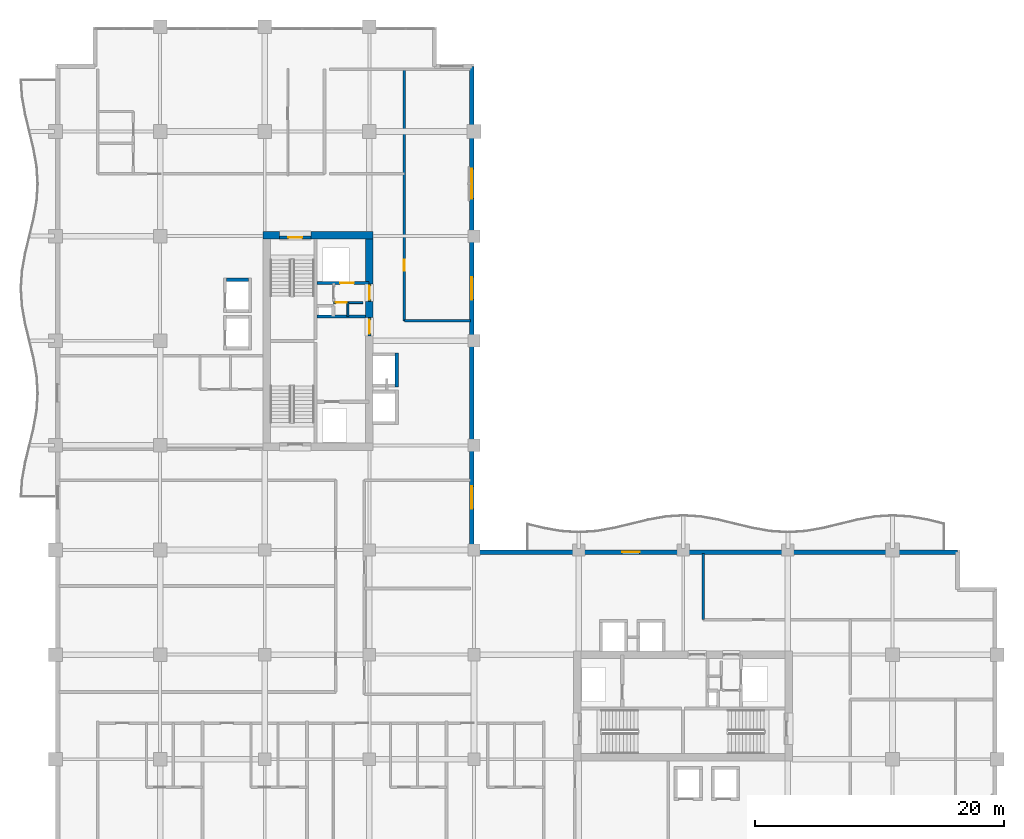
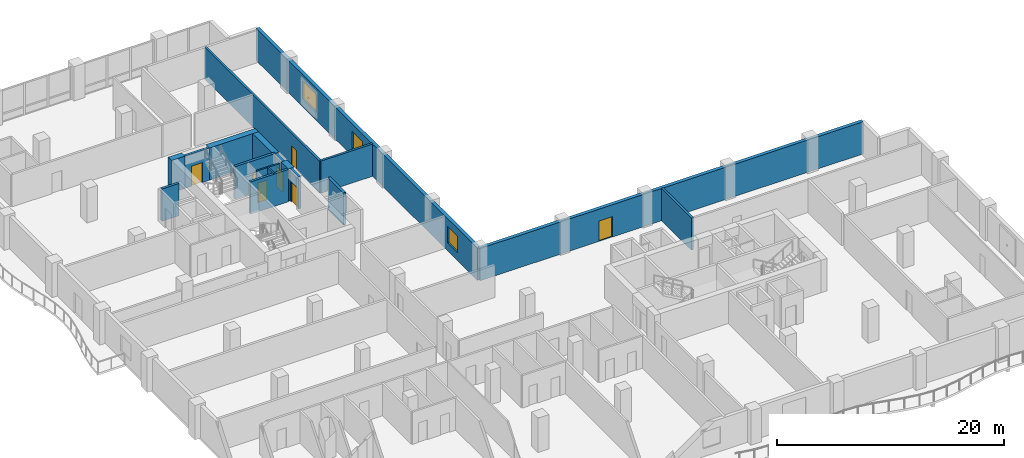
# One storey, part 10 of 18: 18 walls, 7 doors, 3 windows, 10 openings.
"""IFC4 building model written with IfcOpenShell, lengths in metres."""

from ifc_helpers import new_model, si_unit, direction, frame, frame_2d, origin, place, context, subcontext, project, spatial, rectangle, extrude, material, layer, layer_set, type_object, element, fill, save


model = new_model("IFC4")

# Units and contexts
model_context = context("Model", 3, precision=1e-05, world=origin(), true_north=direction((0.0, 1.0)))
body_context = subcontext(model_context, "Body", "Model", "MODEL_VIEW")
ifc_project = project(units=[si_unit("LENGTHUNIT", "METRE"), si_unit("AREAUNIT", "SQUARE_METRE"), si_unit("VOLUMEUNIT", "CUBIC_METRE"), si_unit("PLANEANGLEUNIT", "RADIAN"), si_unit("MASSUNIT", "GRAM", prefix="KILO")], contexts=[model_context])

# Site, building, storey
site_placement = place(None, origin())
site = spatial("IfcSite", under=ifc_project, at=site_placement, CompositionType="ELEMENT")
building_placement = place(site_placement, origin())
building = spatial("IfcBuilding", under=site, at=building_placement, Name="Koriwani Terraces Tower", CompositionType="ELEMENT")
storey_placement = place(building_placement, frame((0.0, 0.0, 205.0)))
storey = spatial("IfcBuildingStorey", under=building, at=storey_placement, Name="L50", CompositionType="ELEMENT", Elevation=205.0)

# Walls
ifc_material_1 = material(Name="Concrete C60/75", Category="concrete")
ifc_layer_1 = layer(ifc_material_1, 0.60009765625, Name="Concrete C60/75")
ifc_layer_set_1 = layer_set([ifc_layer_1], Name="Concrete C60/75")
wall_type_1 = type_object("IfcWallType", Name="WALL_CORE_RC_600", PredefinedType="SHEAR", material=ifc_layer_set_1)
wall_1_placement = place(storey_placement, frame((16.64990234375, 58.85009765625, 0.0), z_axis=(0.0, 0.0, 1.0), x_axis=(1.0, 0.0, 0.0)))
element("IfcWall", 1, at=wall_1_placement, inside=storey, type_object=wall_type_1, Name="L50 West Split Core Shear Wall N1", PredefinedType="SHEAR", context=body_context, shape_type="SweptSolid", body=[
    extrude(rectangle(XDim=1.35009765625, YDim=0.60009765625, at=frame_2d((0.675048828125, 0.0))), origin(), (0.0, 0.0, 1.0), 3.469970703125),
])
wall_2_placement = place(storey_placement, frame((20.5, 58.85009765625, 0.0), z_axis=(0.0, 0.0, 1.0), x_axis=(1.0, 0.0, 0.0)))
element("IfcWall", 2, at=wall_2_placement, inside=storey, type_object=wall_type_1, Name="L50 West Split Core Shear Wall N2", PredefinedType="SHEAR", context=body_context, shape_type="SweptSolid", body=[
    extrude(rectangle(XDim=5.0, YDim=0.60009765625, at=frame_2d((2.5, 0.0))), origin(), (0.0, 0.0, 1.0), 3.469970703125),
])
wall_3_placement = place(storey_placement, frame((25.199951171875, 52.280029296875, 0.0), z_axis=(0.0, 0.0, 1.0), x_axis=(0.0, 1.0, 0.0)))
element("IfcWall", 3, at=wall_3_placement, inside=storey, type_object=wall_type_1, Name="L50 West Split Core Shear Wall E2", PredefinedType="SHEAR", context=body_context, shape_type="SweptSolid", body=[
    extrude(rectangle(XDim=1.27001953125, YDim=0.60009765625, at=frame_2d((0.635009765625, 0.0))), origin(), (0.0, 0.0, 1.0), 3.469970703125),
])
wall_4_placement = place(storey_placement, frame((25.199951171875, 54.949951171875, 0.0), z_axis=(0.0, 0.0, 1.0), x_axis=(0.0, 1.0, 0.0)))
element("IfcWall", 4, at=wall_4_placement, inside=storey, type_object=wall_type_1, Name="L50 West Split Core Shear Wall E3", PredefinedType="SHEAR", context=body_context, shape_type="SweptSolid", body=[
    extrude(rectangle(XDim=3.60009765625, YDim=0.60009765625, at=frame_2d((1.800048828125, 0.0))), origin(), (0.0, 0.0, 1.0), 3.469970703125),
])

# Wall, opening, door
ifc_material_2 = material(Name="Autoclaved Cellular Concrete Blockwork", Category="masonry")
ifc_layer_2 = layer(ifc_material_2, 0.199951171875, Name="Autoclaved Cellular Concrete Blockwork")
ifc_layer_set_2 = layer_set([ifc_layer_2], Name="Autoclaved Cellular Concrete Blockwork")
wall_type_2 = type_object("IfcWallType", Name="WALL_CORRIDOR_200", PredefinedType="PARTITIONING", material=ifc_layer_set_2)
wall_5_placement = place(storey_placement, frame((28.0, 52.0, 0.0), z_axis=(0.0, 0.0, 1.0), x_axis=(0.0, 1.0, 0.0)))
wall_5 = element("IfcWall", 5, at=wall_5_placement, inside=storey, type_object=wall_type_2, Name="L50 Interior Wall WNWT2-W-L50", PredefinedType="PARTITIONING", context=body_context, shape_type="SweptSolid", body=[
    extrude(rectangle(XDim=20.199951171875, YDim=0.199951171875, at=frame_2d((10.10009765625, 0.0))), origin(), (0.0, 0.0, 1.0), 3.469970703125),
])
opening_1_placement = place(wall_5_placement, frame((4.0, 0.0, 0.0)))
opening_1 = element("IfcOpeningElement", 6, at=opening_1_placement, cuts=wall_5, Name="Opening D-06", PredefinedType="OPENING", context=body_context, shape_type="SweptSolid", body=[
    extrude(rectangle(XDim=0.919921875, YDim=2.10009765625, at=frame_2d((0.4599609375, 1.050048828125))), frame((0.0, 0.10986328125, 0.0), z_axis=(0.0, -1.0, 0.0), x_axis=(1.0, 0.0, 0.0)), (0.0, 0.0, 1.0), 0.219970703125),
])
ifc_material_3 = material(Name="Architectural Oak Fire Door", Category="wood")
door_type_1 = type_object("IfcDoorType", Name="DOOR_ROOM_INT_920X2100", OperationType="NOTDEFINED", PredefinedType="DOOR", material=ifc_material_3)
door_1_placement = place(opening_1_placement, origin())
door_1 = element("IfcDoor", 7, at=door_1_placement, inside=storey, type_object=door_type_1, Name="L50 North Court Lounge Door", OperationType="SINGLE_SWING_LEFT", OverallHeight=2.10009765625, OverallWidth=0.919921875, PredefinedType="DOOR", context=body_context, shape_type="SweptSolid", body=[
    extrude(rectangle(XDim=0.919921875, YDim=2.10009765625, at=frame_2d((0.4599609375, 1.050048828125))), frame((0.0, 0.02490234375, 0.0), z_axis=(0.0, -1.0, 0.0), x_axis=(1.0, 0.0, 0.0)), (0.0, 0.0, 1.0), 0.050048828125),
])
fill(opening_1, door_1)

# Walls
ifc_layer_3 = layer(ifc_material_2, 0.219970703125, Name="Autoclaved Cellular Concrete Blockwork")
ifc_layer_set_3 = layer_set([ifc_layer_3], Name="Autoclaved Cellular Concrete Blockwork")
wall_type_3 = type_object("IfcWallType", Name="WALL_DEMISING_220", PredefinedType="PARTITIONING", material=ifc_layer_set_3)
for number, where, z_axis, x_axis, name in (
    (8, (28.0, 52.0, 0.0), (0.0, 0.0, 1.0), (1.0, 0.0, 0.0), "L50 Interior Wall WNWT2-S-L50"),
    (9, (52.0, 28.0, 0.0), (0.0, 0.0, 1.0), (0.0, 1.0, 0.0), "L50 Interior Wall WSET2-W-L50"),
):
    element("IfcWall", number, at=place(storey_placement, frame(where, z_axis=z_axis, x_axis=x_axis)), inside=storey, type_object=wall_type_3, Name=name, PredefinedType="PARTITIONING", context=body_context, shape_type="SweptSolid", body=[
        extrude(rectangle(XDim=5.300048828125, YDim=0.219970703125, at=frame_2d((2.64990234375, 0.0))), origin(), (0.0, 0.0, 1.0), 3.469970703125),
    ])

# Wall, openings, windows
ifc_material_4 = material(Name="Concrete C50/60", Category="concrete")
ifc_layer_4 = layer(ifc_material_4, 0.35009765625, Name="Concrete C50/60")
ifc_layer_set_4 = layer_set([ifc_layer_4], Name="Concrete C50/60")
wall_type_4 = type_object("IfcWallType", Name="WALL_EXT_BRUTALIST_350", PredefinedType="STANDARD", material=ifc_layer_set_4)
wall_6_placement = place(storey_placement, frame((33.425048828125, 72.425048828125, 0.0), z_axis=(0.0, 0.0, 1.0), x_axis=(0.0, -1.0, 0.0)))
wall_6 = element("IfcWall", 10, at=wall_6_placement, inside=storey, type_object=wall_type_4, Name="L50 Fair-Faced Brutalist Exterior Wall (NW_IN)", PredefinedType="STANDARD", context=body_context, shape_type="SweptSolid", body=[
    extrude(rectangle(XDim=39.0, YDim=0.35009765625, at=frame_2d((19.5, 0.0))), origin(), (0.0, 0.0, 1.0), 3.469970703125),
])
opening_2_placement = place(wall_6_placement, frame((33.72509765625, 0.0, 0.85009765625)))
opening_2 = element("IfcOpeningElement", 11, at=opening_2_placement, cuts=wall_6, Name="Opening W-04", PredefinedType="OPENING", context=body_context, shape_type="SweptSolid", body=[
    extrude(rectangle(XDim=1.800048828125, YDim=1.800048828125, at=frame_2d((0.89990234375, 0.89990234375))), frame((0.0, 0.18505859375, 0.0), z_axis=(0.0, -1.0, 0.0), x_axis=(1.0, 0.0, 0.0)), (0.0, 0.0, 1.0), 0.3701171875),
])
opening_3_placement = place(wall_6_placement, frame((16.925048828125, 0.0, 0.85009765625)))
opening_3 = element("IfcOpeningElement", 12, at=opening_3_placement, cuts=wall_6, Name="Opening W-04", PredefinedType="OPENING", context=body_context, shape_type="SweptSolid", body=[
    extrude(rectangle(XDim=1.800048828125, YDim=1.800048828125, at=frame_2d((0.89990234375, 0.89990234375))), frame((0.0, 0.18505859375, 0.0), z_axis=(0.0, -1.0, 0.0), x_axis=(1.0, 0.0, 0.0)), (0.0, 0.0, 1.0), 0.3701171875),
])
opening_4_placement = place(wall_6_placement, frame((8.22509765625, 0.0, 0.85009765625)))
opening_4 = element("IfcOpeningElement", 13, at=opening_4_placement, cuts=wall_6, Name="Opening W-03", PredefinedType="OPENING", context=body_context, shape_type="SweptSolid", body=[
    extrude(rectangle(XDim=2.39990234375, YDim=1.949951171875, at=frame_2d((1.199951171875, 0.97509765625))), frame((0.0, 0.18505859375, 0.0), z_axis=(0.0, -1.0, 0.0), x_axis=(1.0, 0.0, 0.0)), (0.0, 0.0, 1.0), 0.3701171875),
])
ifc_material_5 = material(Name="Tempered Laminated Low-E Glass", Category="glass")
window_type_1 = type_object("IfcWindowType", Name="WIN_RES_BED_1800X1800", PartitioningType="DOUBLE_PANEL_VERTICAL", PredefinedType="WINDOW", material=ifc_material_5)
window_1_placement = place(opening_2_placement, origin())
window_1 = element("IfcWindow", 14, at=window_1_placement, inside=storey, type_object=window_type_1, Name="L50 Exterior Window (NW_IN-2)", OverallHeight=1.800048828125, OverallWidth=1.800048828125, PartitioningType="SINGLE_PANEL", PredefinedType="WINDOW", context=body_context, shape_type="SweptSolid", body=[
    extrude(rectangle(XDim=1.800048828125, YDim=1.800048828125, at=frame_2d((0.89990234375, 0.89990234375))), frame((0.0, 0.030029296875, 0.0), z_axis=(0.0, -1.0, 0.0), x_axis=(1.0, 0.0, 0.0)), (0.0, 0.0, 1.0), 0.06005859375),
])
fill(opening_2, window_1)
window_2_placement = place(opening_3_placement, origin())
window_2 = element("IfcWindow", 15, at=window_2_placement, inside=storey, type_object=window_type_1, Name="L50 Exterior Window (NW_IN-8)", OverallHeight=1.800048828125, OverallWidth=1.800048828125, PartitioningType="SINGLE_PANEL", PredefinedType="WINDOW", context=body_context, shape_type="SweptSolid", body=[
    extrude(rectangle(XDim=1.800048828125, YDim=1.800048828125, at=frame_2d((0.89990234375, 0.89990234375))), frame((0.0, 0.030029296875, 0.0), z_axis=(0.0, -1.0, 0.0), x_axis=(1.0, 0.0, 0.0)), (0.0, 0.0, 1.0), 0.06005859375),
])
fill(opening_3, window_2)
window_type_2 = type_object("IfcWindowType", Name="WIN_RES_LIVING_2400X1950", PartitioningType="DOUBLE_PANEL_VERTICAL", PredefinedType="WINDOW", material=ifc_material_5)
window_3_placement = place(opening_4_placement, origin())
window_3 = element("IfcWindow", 16, at=window_3_placement, inside=storey, type_object=window_type_2, Name="L50 Exterior Window (NW_IN-11)", OverallHeight=1.949951171875, OverallWidth=2.39990234375, PartitioningType="SINGLE_PANEL", PredefinedType="WINDOW", context=body_context, shape_type="SweptSolid", body=[
    extrude(rectangle(XDim=2.39990234375, YDim=1.949951171875, at=frame_2d((1.199951171875, 0.97509765625))), frame((0.0, 0.030029296875, 0.0), z_axis=(0.0, -1.0, 0.0), x_axis=(1.0, 0.0, 0.0)), (0.0, 0.0, 1.0), 0.06005859375),
])
fill(opening_4, window_3)

# Wall, opening, door
wall_7_placement = place(storey_placement, frame((33.425048828125, 33.425048828125, 0.0), z_axis=(0.0, 0.0, 1.0), x_axis=(1.0, 0.0, 0.0)))
wall_7 = element("IfcWall", 17, at=wall_7_placement, inside=storey, type_object=wall_type_4, Name="L50 Fair-Faced Brutalist Exterior Wall (NE)", PredefinedType="STANDARD", context=body_context, shape_type="SweptSolid", body=[
    extrude(rectangle(XDim=39.0, YDim=0.35009765625, at=frame_2d((19.5, 0.0))), origin(), (0.0, 0.0, 1.0), 3.469970703125),
])
opening_5_placement = place(wall_7_placement, frame((12.074951171875, 0.0, 0.0)))
opening_5 = element("IfcOpeningElement", 18, at=opening_5_placement, cuts=wall_7, Name="Opening D-09", PredefinedType="OPENING", context=body_context, shape_type="SweptSolid", body=[
    extrude(rectangle(XDim=1.39990234375, YDim=2.199951171875, at=frame_2d((0.699951171875, 1.10009765625))), frame((0.0, 0.18505859375, 0.0), z_axis=(0.0, -1.0, 0.0), x_axis=(1.0, 0.0, 0.0)), (0.0, 0.0, 1.0), 0.3701171875),
])
ifc_material_6 = material(Name="Anodised Bronze Aluminium", Category="aluminium")
door_type_2 = type_object("IfcDoorType", Name="DOOR_BALCONY_GLAZED_1400X2200", OperationType="NOTDEFINED", PredefinedType="DOOR", material=ifc_material_6)
door_2_placement = place(opening_5_placement, origin())
door_2 = element("IfcDoor", 19, at=door_2_placement, inside=storey, type_object=door_type_2, Name="L50 Inner Court Balcony Glazed Door", OperationType="SINGLE_SWING_LEFT", OverallHeight=2.199951171875, OverallWidth=1.39990234375, PredefinedType="DOOR", context=body_context, shape_type="SweptSolid", body=[
    extrude(rectangle(XDim=1.39990234375, YDim=2.199951171875, at=frame_2d((0.699951171875, 1.10009765625))), frame((0.0, 0.02490234375, 0.0), z_axis=(0.0, -1.0, 0.0), x_axis=(1.0, 0.0, 0.0)), (0.0, 0.0, 1.0), 0.050048828125),
])
fill(opening_5, door_2)

ifc_material_7 = material(Name="Concrete C40/50", Category="concrete")
ifc_layer_5 = layer(ifc_material_7, 0.25, Name="Concrete C40/50")
ifc_layer_set_5 = layer_set([ifc_layer_5], Name="Concrete C40/50")
wall_type_5 = type_object("IfcWallType", Name="WALL_SHAFT_RATED_250", PredefinedType="SOLIDWALL", material=ifc_layer_set_5)
wall_8_placement = place(storey_placement, frame((18.0, 58.675048828125, 0.0), z_axis=(0.0, 0.0, 1.0), x_axis=(1.0, 0.0, 0.0)))
wall_8 = element("IfcWall", 20, at=wall_8_placement, inside=storey, type_object=wall_type_5, Name="L50 Interior Wall WIN-CW-L50-STN", PredefinedType="SOLIDWALL", context=body_context, shape_type="SweptSolid", body=[
    extrude(rectangle(XDim=2.5, YDim=0.25, at=frame_2d((1.25, 0.0))), origin(), (0.0, 0.0, 1.0), 3.469970703125),
])
opening_6_placement = place(wall_8_placement, frame((0.699951171875, 0.0, 0.0)))
opening_6 = element("IfcOpeningElement", 21, at=opening_6_placement, cuts=wall_8, Name="Opening D-03", PredefinedType="OPENING", context=body_context, shape_type="SweptSolid", body=[
    extrude(rectangle(XDim=1.10009765625, YDim=2.14990234375, at=frame_2d((0.550048828125, 1.074951171875))), frame((0.0, 0.135009765625, 0.0), z_axis=(0.0, -1.0, 0.0), x_axis=(1.0, 0.0, 0.0)), (0.0, 0.0, 1.0), 0.27001953125),
])
ifc_material_8 = material(Name="Steel ASTM A572 Grade 50", Category="steel")
door_type_3 = type_object("IfcDoorType", Name="DOOR_STAIR_FIRE_1100X2150", OperationType="NOTDEFINED", PredefinedType="DOOR", material=ifc_material_8)
door_3_placement = place(opening_6_placement, origin())
door_3 = element("IfcDoor", 22, at=door_3_placement, inside=storey, type_object=door_type_3, Name="L50 Exit Stair ST-W2 Door", OperationType="SINGLE_SWING_LEFT", OverallHeight=2.14990234375, OverallWidth=1.10009765625, PredefinedType="DOOR", context=body_context, shape_type="SweptSolid", body=[
    extrude(rectangle(XDim=1.10009765625, YDim=2.14990234375, at=frame_2d((0.550048828125, 1.074951171875))), frame((0.0, 0.02490234375, 0.0), z_axis=(0.0, -1.0, 0.0), x_axis=(1.0, 0.0, 0.0)), (0.0, 0.0, 1.0), 0.050048828125),
])
fill(opening_6, door_3)

wall_9_placement = place(storey_placement, frame((25.199951171875, 50.800048828125, 0.0), z_axis=(0.0, 0.0, 1.0), x_axis=(0.0, 1.0, 0.0)))
wall_9 = element("IfcWall", 23, at=wall_9_placement, inside=storey, type_object=wall_type_5, Name="L50 Interior Wall WIN-CW-L50-EP", PredefinedType="SOLIDWALL", context=body_context, shape_type="SweptSolid", body=[
    extrude(rectangle(XDim=1.47998046875, YDim=0.25, at=frame_2d((0.739990234375, 0.0))), origin(), (0.0, 0.0, 1.0), 3.469970703125),
])
opening_7_placement = place(wall_9_placement, frame((0.179931640625, 0.0, 0.0)))
opening_7 = element("IfcOpeningElement", 24, at=opening_7_placement, cuts=wall_9, Name="Opening D-03", PredefinedType="OPENING", context=body_context, shape_type="SweptSolid", body=[
    extrude(rectangle(XDim=1.10009765625, YDim=2.14990234375, at=frame_2d((0.550048828125, 1.074951171875))), frame((0.0, 0.135009765625, 0.0), z_axis=(0.0, -1.0, 0.0), x_axis=(1.0, 0.0, 0.0)), (0.0, 0.0, 1.0), 0.27001953125),
])
door_4_placement = place(opening_7_placement, origin())
door_4 = element("IfcDoor", 25, at=door_4_placement, inside=storey, type_object=door_type_3, Name="L50 West Firefighting Lobby Door", OperationType="SINGLE_SWING_RIGHT", OverallHeight=2.14990234375, OverallWidth=1.10009765625, PredefinedType="DOOR", context=body_context, shape_type="SweptSolid", body=[
    extrude(rectangle(XDim=1.10009765625, YDim=2.14990234375, at=frame_2d((0.550048828125, 1.074951171875))), frame((0.0, 0.02490234375, 0.0), z_axis=(0.0, -1.0, 0.0), x_axis=(1.0, 0.0, 0.0)), (0.0, 0.0, 1.0), 0.050048828125),
])
fill(opening_7, door_4)

# Wall
wall_10_placement = place(storey_placement, frame((21.0, 52.340087890625, 0.0), z_axis=(0.0, 0.0, 1.0), x_axis=(1.0, 0.0, 0.0)))
element("IfcWall", 26, at=wall_10_placement, inside=storey, type_object=wall_type_5, Name="L50 Interior Wall WIN-CW-L50-FFN", PredefinedType="SOLIDWALL", context=body_context, shape_type="SweptSolid", body=[
    extrude(rectangle(XDim=3.89990234375, YDim=0.25, at=frame_2d((1.949951171875, 0.0))), origin(), (0.0, 0.0, 1.0), 3.469970703125),
])

# Wall, opening, door
wall_11_placement = place(storey_placement, frame((21.0, 55.050048828125, 0.0), z_axis=(0.0, 0.0, 1.0), x_axis=(1.0, 0.0, 0.0)))
wall_11 = element("IfcWall", 27, at=wall_11_placement, inside=storey, type_object=wall_type_5, Name="L50 Interior Wall WIN-CW-L50-SE", PredefinedType="SOLIDWALL", context=body_context, shape_type="SweptSolid", body=[
    extrude(rectangle(XDim=4.14990234375, YDim=0.25, at=frame_2d((2.074951171875, 0.0))), origin(), (0.0, 0.0, 1.0), 3.469970703125),
])
opening_8_placement = place(wall_11_placement, frame((1.85009765625, 0.0, 0.0)))
opening_8 = element("IfcOpeningElement", 28, at=opening_8_placement, cuts=wall_11, Name="Opening LD-01", PredefinedType="OPENING", context=body_context, shape_type="SweptSolid", body=[
    extrude(rectangle(XDim=1.10009765625, YDim=2.14990234375, at=frame_2d((0.550048828125, 1.074951171875))), frame((0.0, 0.135009765625, 0.0), z_axis=(0.0, -1.0, 0.0), x_axis=(1.0, 0.0, 0.0)), (0.0, 0.0, 1.0), 0.27001953125),
])
door_type_4 = type_object("IfcDoorType", Name="DOOR_LIFT_LANDING_1100X2200", OperationType="NOTDEFINED", PredefinedType="DOOR", material=ifc_material_8)
door_5_placement = place(opening_8_placement, origin())
door_5 = element("IfcDoor", 29, at=door_5_placement, inside=storey, type_object=door_type_4, Name="L50 Goods Lift SE-01 Landing Door", OperationType="SLIDING_TO_LEFT", OverallHeight=2.14990234375, OverallWidth=1.10009765625, PredefinedType="DOOR", context=body_context, shape_type="SweptSolid", body=[
    extrude(rectangle(XDim=1.10009765625, YDim=2.14990234375, at=frame_2d((0.550048828125, 1.074951171875))), frame((0.0, 0.02490234375, 0.0), z_axis=(0.0, -1.0, 0.0), x_axis=(1.0, 0.0, 0.0)), (0.0, 0.0, 1.0), 0.050048828125),
])
fill(opening_8, door_5)

wall_12_placement = place(storey_placement, frame((25.199951171875, 53.550048828125, 0.0), z_axis=(0.0, 0.0, 1.0), x_axis=(0.0, 1.0, 0.0)))
wall_12 = element("IfcWall", 30, at=wall_12_placement, inside=storey, type_object=wall_type_5, Name="L50 Interior Wall WIN-CW-L50-EP2", PredefinedType="SOLIDWALL", context=body_context, shape_type="SweptSolid", body=[
    extrude(rectangle(XDim=1.39990234375, YDim=0.25, at=frame_2d((0.699951171875, 0.0))), origin(), (0.0, 0.0, 1.0), 3.469970703125),
])
opening_9_placement = place(wall_12_placement, frame((0.14990234375, 0.0, 0.0)))
opening_9 = element("IfcOpeningElement", 31, at=opening_9_placement, cuts=wall_12, Name="Opening D-03", PredefinedType="OPENING", context=body_context, shape_type="SweptSolid", body=[
    extrude(rectangle(XDim=1.10009765625, YDim=2.14990234375, at=frame_2d((0.550048828125, 1.074951171875))), frame((0.0, 0.135009765625, 0.0), z_axis=(0.0, -1.0, 0.0), x_axis=(1.0, 0.0, 0.0)), (0.0, 0.0, 1.0), 0.27001953125),
])
door_6_placement = place(opening_9_placement, origin())
door_6 = element("IfcDoor", 32, at=door_6_placement, inside=storey, type_object=door_type_3, Name="L50 West Goods Lift Lobby Door", OperationType="SINGLE_SWING_LEFT", OverallHeight=2.14990234375, OverallWidth=1.10009765625, PredefinedType="DOOR", context=body_context, shape_type="SweptSolid", body=[
    extrude(rectangle(XDim=1.10009765625, YDim=2.14990234375, at=frame_2d((0.550048828125, 1.074951171875))), frame((0.0, 0.02490234375, 0.0), z_axis=(0.0, -1.0, 0.0), x_axis=(1.0, 0.0, 0.0)), (0.0, 0.0, 1.0), 0.050048828125),
])
fill(opening_9, door_6)

# Walls
wall_13_placement = place(storey_placement, frame((13.72509765625, 55.300048828125, 0.0), z_axis=(0.0, 0.0, 1.0), x_axis=(1.0, 0.0, 0.0)))
element("IfcWall", 33, at=wall_13_placement, inside=storey, type_object=wall_type_5, Name="L50 Interior Wall WIN-LF-PE-M2-L50-N", PredefinedType="SOLIDWALL", context=body_context, shape_type="SweptSolid", body=[
    extrude(rectangle(XDim=1.75, YDim=0.25, at=frame_2d((0.875, 0.0))), origin(), (0.0, 0.0, 1.0), 3.469970703125),
])
wall_14_placement = place(storey_placement, frame((27.39990234375, 46.675048828125, 0.0), z_axis=(0.0, 0.0, 1.0), x_axis=(0.0, 1.0, 0.0)))
element("IfcWall", 34, at=wall_14_placement, inside=storey, type_object=wall_type_5, Name="L50 Interior Wall WIN-LF-PE-H2-L50-F", PredefinedType="SOLIDWALL", context=body_context, shape_type="SweptSolid", body=[
    extrude(rectangle(XDim=2.75, YDim=0.25, at=frame_2d((1.375, 0.0))), origin(), (0.0, 0.0, 1.0), 3.469970703125),
])

# Wall, opening, door
ifc_material_9 = material(Name="Fire-Rated Acoustic Gypsum Partition", Category="masonry")
ifc_layer_6 = layer(ifc_material_9, 0.159912109375, Name="Fire-Rated Acoustic Gypsum Partition")
ifc_layer_set_6 = layer_set([ifc_layer_6], Name="Fire-Rated Acoustic Gypsum Partition")
wall_type_6 = type_object("IfcWallType", Name="WALL_SUITE_160", PredefinedType="PARTITIONING", material=ifc_layer_set_6)
wall_15_placement = place(storey_placement, frame((22.320068359375, 53.4599609375, 0.0), z_axis=(0.0, 0.0, 1.0), x_axis=(1.0, 0.0, 0.0)))
wall_15 = element("IfcWall", 35, at=wall_15_placement, inside=storey, type_object=wall_type_6, Name="L50 Interior Wall WIN-CW-L50-SV2H", PredefinedType="PARTITIONING", context=body_context, shape_type="SweptSolid", body=[
    extrude(rectangle(XDim=2.35986328125, YDim=0.159912109375, at=frame_2d((1.179931640625, 0.0))), origin(), (0.0, 0.0, 1.0), 3.469970703125),
])
opening_10_placement = place(wall_15_placement, frame((0.159912109375, 0.0, 0.0)))
opening_10 = element("IfcOpeningElement", 36, at=opening_10_placement, cuts=wall_15, Name="Opening D-07", PredefinedType="OPENING", context=body_context, shape_type="SweptSolid", body=[
    extrude(rectangle(XDim=0.89990234375, YDim=2.10009765625, at=frame_2d((0.449951171875, 1.050048828125))), frame((0.0, 0.08984375, 0.0), z_axis=(0.0, -1.0, 0.0), x_axis=(1.0, 0.0, 0.0)), (0.0, 0.0, 1.0), 0.179931640625),
])
door_type_5 = type_object("IfcDoorType", Name="DOOR_BATH_INT_900X2100", OperationType="NOTDEFINED", PredefinedType="DOOR", material=ifc_material_3)
door_7_placement = place(opening_10_placement, origin())
door_7 = element("IfcDoor", 37, at=door_7_placement, inside=storey, type_object=door_type_5, Name="L50 West Valve Room Door", OperationType="SINGLE_SWING_LEFT", OverallHeight=2.10009765625, OverallWidth=0.89990234375, PredefinedType="DOOR", context=body_context, shape_type="SweptSolid", body=[
    extrude(rectangle(XDim=0.89990234375, YDim=2.10009765625, at=frame_2d((0.449951171875, 1.050048828125))), frame((0.0, 0.02490234375, 0.0), z_axis=(0.0, -1.0, 0.0), x_axis=(1.0, 0.0, 0.0)), (0.0, 0.0, 1.0), 0.050048828125),
])
fill(opening_10, door_7)

# Wall
wall_16_placement = place(storey_placement, frame((23.47998046875, 52.360107421875, 0.0), z_axis=(0.0, 0.0, 1.0), x_axis=(0.0, 1.0, 0.0)))
element("IfcWall", 38, at=wall_16_placement, inside=storey, type_object=wall_type_6, Name="L50 Interior Wall WIN-CW-L50-SV2V", PredefinedType="PARTITIONING", context=body_context, shape_type="SweptSolid", body=[
    extrude(rectangle(XDim=1.099853515625, YDim=0.159912109375, at=frame_2d((0.5498046875, 0.0))), origin(), (0.0, 0.0, 1.0), 3.469970703125),
])

save(model, "model.ifc")
